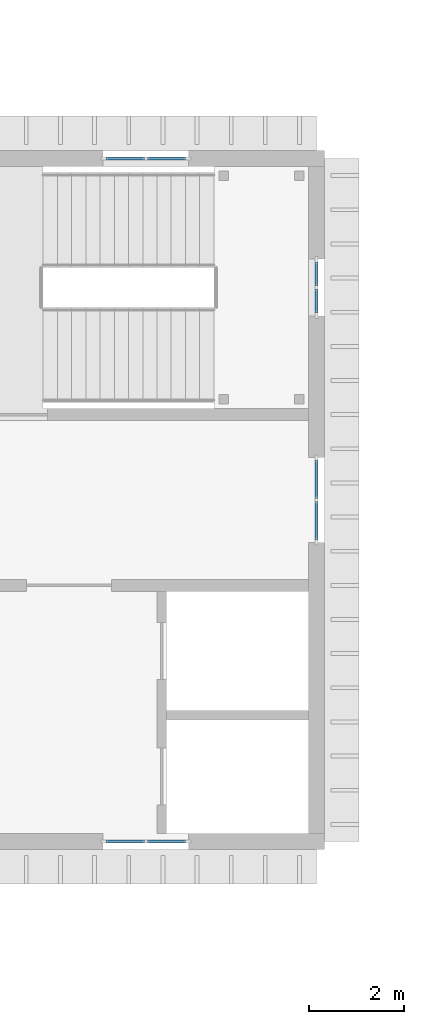
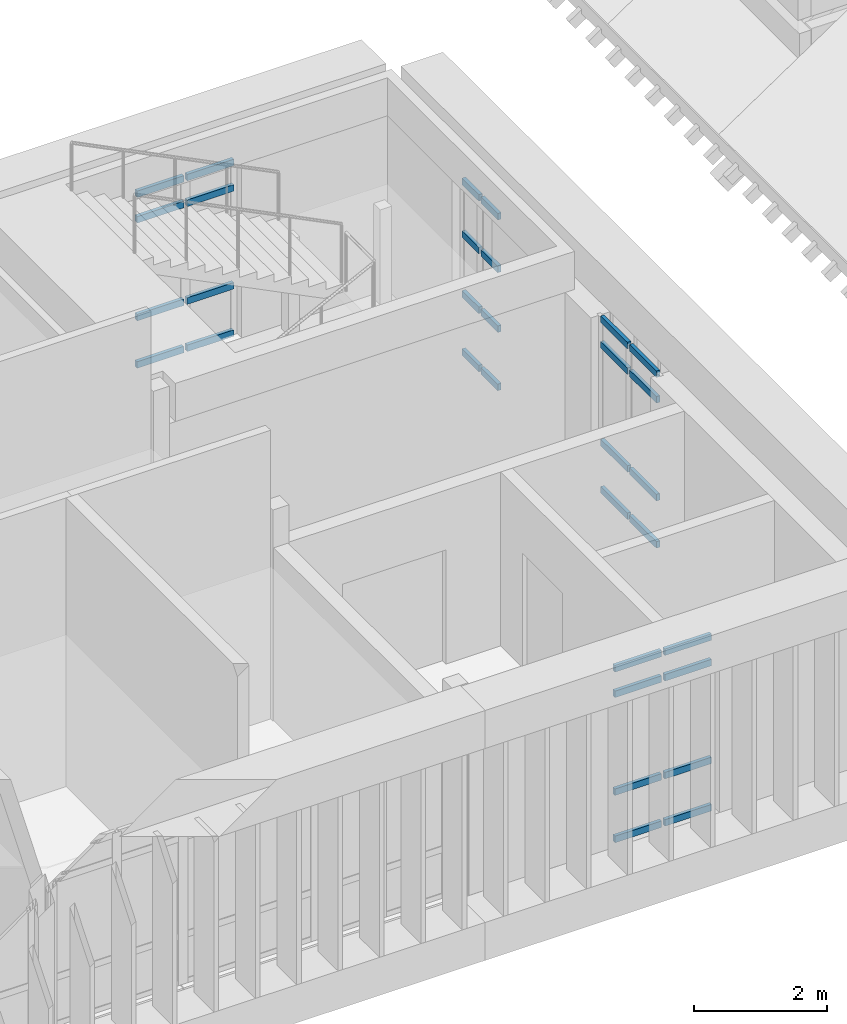
# One storey, part 19 of 51: 32 members, 4 elements without a shape of their own.
"""IFC4 building model written with IfcOpenShell, lengths in metres."""

from ifc_helpers import new_model, si_unit, direction, frame, origin, origin_2d, place, context, subcontext, project, spatial, rectangle, extrude, material, layer, layer_set, material_profile, profile_set, type_object, element, aggregate, save


model = new_model("IFC4")

# Units and contexts
model_context = context("Model", 3, precision=1e-05, world=origin(), true_north=direction((0.0, 1.0)))
body_context = subcontext(model_context, "Body", "Model", "MODEL_VIEW")
ifc_project = project(units=[si_unit("LENGTHUNIT", "METRE"), si_unit("AREAUNIT", "SQUARE_METRE"), si_unit("VOLUMEUNIT", "CUBIC_METRE"), si_unit("PLANEANGLEUNIT", "RADIAN"), si_unit("MASSUNIT", "GRAM", prefix="KILO")], contexts=[model_context])

# Site, building, storey
site_placement = place(None, origin())
site = spatial("IfcSite", under=ifc_project, at=site_placement, CompositionType="ELEMENT")
building_placement = place(site_placement, origin())
building = spatial("IfcBuilding", under=site, at=building_placement, Name="Mazhai Court Health Centre", CompositionType="ELEMENT")
storey_placement = place(building_placement, frame((0.0, 0.0, 14.10009765625)))
storey = spatial("IfcBuildingStorey", under=building, at=storey_placement, Name="L03", CompositionType="ELEMENT", Elevation=14.10009765625)

# Curtain wall, members
ifc_material_1 = material(Name="Teak timber frame, glazed", Category="wood")
ifc_layer_1 = layer(ifc_material_1, 0.10009765625)
ifc_layer_set_1 = layer_set([ifc_layer_1], Name="CURTAIN WALL TIMBER 900")
curtain_wall_type_1 = type_object("IfcCurtainWallType", Name="CURTAIN WALL TIMBER 900", PredefinedType="NOTDEFINED", material=ifc_layer_set_1)
curtain_wall_1_placement = place(storey_placement, origin())
curtain_wall_1 = element("IfcCurtainWall", 1, at=curtain_wall_1_placement, inside=storey, type_object=curtain_wall_type_1, Name="CW-V4-L03-A7", PredefinedType="NOTDEFINED")
ifc_material_2 = material(Name="Teak timber", Category="wood")
ifc_material_profile = material_profile(ifc_material_2, rectangle(XDim=0.06005859375, YDim=0.1201171875, at=origin_2d()), Name="CW TRANSOM 60x120")
ifc_profile_set = profile_set([ifc_material_profile], Name="Teak timber")
member_type = type_object("IfcMemberType", Name="CW TRANSOM 60x120", PredefinedType="USERDEFINED", material=ifc_profile_set)
member_1_placement = place(storey_placement, frame((125.840087890625, 13.39990234375, 0.02978515625), z_axis=(-1.0, 0.0, 0.0), x_axis=(0.0, -1.0, 0.0)))
member_1 = element("IfcMember", 2, at=member_1_placement, type_object=member_type, Name="CW transom 1.1", ObjectType="TRANSOM", PredefinedType="USERDEFINED", context=body_context, shape_type="SweptSolid", body=[
    extrude(rectangle(XDim=0.06005859375, YDim=0.1201171875, at=origin_2d()), origin(), (0.0, 0.0, 1.0), 0.81005859375),
])
member_2_placement = place(storey_placement, frame((125.840087890625, 13.39990234375, 0.89990234375), z_axis=(-1.0, 0.0, 0.0), x_axis=(0.0, -1.0, 0.0)))
member_2 = element("IfcMember", 3, at=member_2_placement, type_object=member_type, Name="CW transom 1.2", ObjectType="TRANSOM", PredefinedType="USERDEFINED", context=body_context, shape_type="SweptSolid", body=[
    extrude(rectangle(XDim=0.06005859375, YDim=0.1201171875, at=origin_2d()), origin(), (0.0, 0.0, 1.0), 0.81005859375),
])
member_3_placement = place(storey_placement, frame((125.840087890625, 13.39990234375, 2.699951171875), z_axis=(-1.0, 0.0, 0.0), x_axis=(0.0, -1.0, 0.0)))
member_3 = element("IfcMember", 4, at=member_3_placement, type_object=member_type, Name="CW transom 1.3", ObjectType="TRANSOM", PredefinedType="USERDEFINED", context=body_context, shape_type="SweptSolid", body=[
    extrude(rectangle(XDim=0.06005859375, YDim=0.1201171875, at=origin_2d()), origin(), (0.0, 0.0, 1.0), 0.81005859375),
])
member_4_placement = place(storey_placement, frame((125.840087890625, 13.39990234375, 3.169921875), z_axis=(-1.0, 0.0, 0.0), x_axis=(0.0, -1.0, 0.0)))
member_4 = element("IfcMember", 5, at=member_4_placement, type_object=member_type, Name="CW transom 1.4", ObjectType="TRANSOM", PredefinedType="USERDEFINED", context=body_context, shape_type="SweptSolid", body=[
    extrude(rectangle(XDim=0.06005859375, YDim=0.1201171875, at=origin_2d()), origin(), (0.0, 0.0, 1.0), 0.81005859375),
])
member_5_placement = place(storey_placement, frame((124.969970703125, 13.39990234375, 0.02978515625), z_axis=(-1.0, 0.0, 0.0), x_axis=(0.0, -1.0, 0.0)))
member_5 = element("IfcMember", 6, at=member_5_placement, type_object=member_type, Name="CW transom 2.1", ObjectType="TRANSOM", PredefinedType="USERDEFINED", context=body_context, shape_type="SweptSolid", body=[
    extrude(rectangle(XDim=0.06005859375, YDim=0.1201171875, at=origin_2d()), origin(), (0.0, 0.0, 1.0), 0.81005859375),
])
member_6_placement = place(storey_placement, frame((124.969970703125, 13.39990234375, 0.89990234375), z_axis=(-1.0, 0.0, 0.0), x_axis=(0.0, -1.0, 0.0)))
member_6 = element("IfcMember", 7, at=member_6_placement, type_object=member_type, Name="CW transom 2.2", ObjectType="TRANSOM", PredefinedType="USERDEFINED", context=body_context, shape_type="SweptSolid", body=[
    extrude(rectangle(XDim=0.06005859375, YDim=0.1201171875, at=origin_2d()), origin(), (0.0, 0.0, 1.0), 0.81005859375),
])
member_7_placement = place(storey_placement, frame((124.969970703125, 13.39990234375, 2.699951171875), z_axis=(-1.0, 0.0, 0.0), x_axis=(0.0, -1.0, 0.0)))
member_7 = element("IfcMember", 8, at=member_7_placement, type_object=member_type, Name="CW transom 2.3", ObjectType="TRANSOM", PredefinedType="USERDEFINED", context=body_context, shape_type="SweptSolid", body=[
    extrude(rectangle(XDim=0.06005859375, YDim=0.1201171875, at=origin_2d()), origin(), (0.0, 0.0, 1.0), 0.81005859375),
])
member_8_placement = place(storey_placement, frame((124.969970703125, 13.39990234375, 3.169921875), z_axis=(-1.0, 0.0, 0.0), x_axis=(0.0, -1.0, 0.0)))
member_8 = element("IfcMember", 9, at=member_8_placement, type_object=member_type, Name="CW transom 2.4", ObjectType="TRANSOM", PredefinedType="USERDEFINED", context=body_context, shape_type="SweptSolid", body=[
    extrude(rectangle(XDim=0.06005859375, YDim=0.1201171875, at=origin_2d()), origin(), (0.0, 0.0, 1.0), 0.81005859375),
])
aggregate(curtain_wall_1, [member_1, member_2, member_3, member_4, member_5, member_6, member_7, member_8])

curtain_wall_2_placement = place(storey_placement, origin())
curtain_wall_2 = element("IfcCurtainWall", 10, at=curtain_wall_2_placement, inside=storey, type_object=curtain_wall_type_1, Name="CW-V4-L03-B7", PredefinedType="NOTDEFINED")
member_9_placement = place(storey_placement, frame((124.159912109375, 27.800048828125, 0.02978515625), z_axis=(1.0, 0.0, 0.0), x_axis=(0.0, 1.0, 0.0)))
member_9 = element("IfcMember", 11, at=member_9_placement, type_object=member_type, Name="CW transom 1.1", ObjectType="TRANSOM", PredefinedType="USERDEFINED", context=body_context, shape_type="SweptSolid", body=[
    extrude(rectangle(XDim=0.06005859375, YDim=0.1201171875, at=origin_2d()), origin(), (0.0, 0.0, 1.0), 0.81005859375),
])
member_10_placement = place(storey_placement, frame((124.159912109375, 27.800048828125, 0.89990234375), z_axis=(1.0, 0.0, 0.0), x_axis=(0.0, 1.0, 0.0)))
member_10 = element("IfcMember", 12, at=member_10_placement, type_object=member_type, Name="CW transom 1.2", ObjectType="TRANSOM", PredefinedType="USERDEFINED", context=body_context, shape_type="SweptSolid", body=[
    extrude(rectangle(XDim=0.06005859375, YDim=0.1201171875, at=origin_2d()), origin(), (0.0, 0.0, 1.0), 0.81005859375),
])
member_11_placement = place(storey_placement, frame((124.159912109375, 27.800048828125, 2.699951171875), z_axis=(1.0, 0.0, 0.0), x_axis=(0.0, 1.0, 0.0)))
member_11 = element("IfcMember", 13, at=member_11_placement, type_object=member_type, Name="CW transom 1.3", ObjectType="TRANSOM", PredefinedType="USERDEFINED", context=body_context, shape_type="SweptSolid", body=[
    extrude(rectangle(XDim=0.06005859375, YDim=0.1201171875, at=origin_2d()), origin(), (0.0, 0.0, 1.0), 0.81005859375),
])
member_12_placement = place(storey_placement, frame((124.159912109375, 27.800048828125, 3.169921875), z_axis=(1.0, 0.0, 0.0), x_axis=(0.0, 1.0, 0.0)))
member_12 = element("IfcMember", 14, at=member_12_placement, type_object=member_type, Name="CW transom 1.4", ObjectType="TRANSOM", PredefinedType="USERDEFINED", context=body_context, shape_type="SweptSolid", body=[
    extrude(rectangle(XDim=0.06005859375, YDim=0.1201171875, at=origin_2d()), origin(), (0.0, 0.0, 1.0), 0.81005859375),
])
member_13_placement = place(storey_placement, frame((125.030029296875, 27.800048828125, 0.02978515625), z_axis=(1.0, 0.0, 0.0), x_axis=(0.0, 1.0, 0.0)))
member_13 = element("IfcMember", 15, at=member_13_placement, type_object=member_type, Name="CW transom 2.1", ObjectType="TRANSOM", PredefinedType="USERDEFINED", context=body_context, shape_type="SweptSolid", body=[
    extrude(rectangle(XDim=0.06005859375, YDim=0.1201171875, at=origin_2d()), origin(), (0.0, 0.0, 1.0), 0.81005859375),
])
member_14_placement = place(storey_placement, frame((125.030029296875, 27.800048828125, 0.89990234375), z_axis=(1.0, 0.0, 0.0), x_axis=(0.0, 1.0, 0.0)))
member_14 = element("IfcMember", 16, at=member_14_placement, type_object=member_type, Name="CW transom 2.2", ObjectType="TRANSOM", PredefinedType="USERDEFINED", context=body_context, shape_type="SweptSolid", body=[
    extrude(rectangle(XDim=0.06005859375, YDim=0.1201171875, at=origin_2d()), origin(), (0.0, 0.0, 1.0), 0.81005859375),
])
member_15_placement = place(storey_placement, frame((125.030029296875, 27.800048828125, 2.699951171875), z_axis=(1.0, 0.0, 0.0), x_axis=(0.0, 1.0, 0.0)))
member_15 = element("IfcMember", 17, at=member_15_placement, type_object=member_type, Name="CW transom 2.3", ObjectType="TRANSOM", PredefinedType="USERDEFINED", context=body_context, shape_type="SweptSolid", body=[
    extrude(rectangle(XDim=0.06005859375, YDim=0.1201171875, at=origin_2d()), origin(), (0.0, 0.0, 1.0), 0.81005859375),
])
member_16_placement = place(storey_placement, frame((125.030029296875, 27.800048828125, 3.169921875), z_axis=(1.0, 0.0, 0.0), x_axis=(0.0, 1.0, 0.0)))
member_16 = element("IfcMember", 18, at=member_16_placement, type_object=member_type, Name="CW transom 2.4", ObjectType="TRANSOM", PredefinedType="USERDEFINED", context=body_context, shape_type="SweptSolid", body=[
    extrude(rectangle(XDim=0.06005859375, YDim=0.1201171875, at=origin_2d()), origin(), (0.0, 0.0, 1.0), 0.81005859375),
])
aggregate(curtain_wall_2, [member_9, member_10, member_11, member_12, member_13, member_14, member_15, member_16])

curtain_wall_3_placement = place(storey_placement, origin())
curtain_wall_3 = element("IfcCurtainWall", 19, at=curtain_wall_3_placement, inside=storey, type_object=curtain_wall_type_1, Name="CW-V4-L03-ELIFT0", PredefinedType="NOTDEFINED")
member_17_placement = place(storey_placement, frame((128.60009765625, 21.43994140625, 0.02978515625), z_axis=(0.0, -1.0, 0.0), x_axis=(1.0, 0.0, 0.0)))
member_17 = element("IfcMember", 20, at=member_17_placement, type_object=member_type, Name="CW transom 1.1", ObjectType="TRANSOM", PredefinedType="USERDEFINED", context=body_context, shape_type="SweptSolid", body=[
    extrude(rectangle(XDim=0.06005859375, YDim=0.1201171875, at=origin_2d()), origin(), (0.0, 0.0, 1.0), 0.81005859375),
])
member_18_placement = place(storey_placement, frame((128.60009765625, 21.43994140625, 0.89990234375), z_axis=(0.0, -1.0, 0.0), x_axis=(1.0, 0.0, 0.0)))
member_18 = element("IfcMember", 21, at=member_18_placement, type_object=member_type, Name="CW transom 1.2", ObjectType="TRANSOM", PredefinedType="USERDEFINED", context=body_context, shape_type="SweptSolid", body=[
    extrude(rectangle(XDim=0.06005859375, YDim=0.1201171875, at=origin_2d()), origin(), (0.0, 0.0, 1.0), 0.81005859375),
])
member_19_placement = place(storey_placement, frame((128.60009765625, 21.43994140625, 2.699951171875), z_axis=(0.0, -1.0, 0.0), x_axis=(1.0, 0.0, 0.0)))
member_19 = element("IfcMember", 22, at=member_19_placement, type_object=member_type, Name="CW transom 1.3", ObjectType="TRANSOM", PredefinedType="USERDEFINED", context=body_context, shape_type="SweptSolid", body=[
    extrude(rectangle(XDim=0.06005859375, YDim=0.1201171875, at=origin_2d()), origin(), (0.0, 0.0, 1.0), 0.81005859375),
])
member_20_placement = place(storey_placement, frame((128.60009765625, 21.43994140625, 3.169921875), z_axis=(0.0, -1.0, 0.0), x_axis=(1.0, 0.0, 0.0)))
member_20 = element("IfcMember", 23, at=member_20_placement, type_object=member_type, Name="CW transom 1.4", ObjectType="TRANSOM", PredefinedType="USERDEFINED", context=body_context, shape_type="SweptSolid", body=[
    extrude(rectangle(XDim=0.06005859375, YDim=0.1201171875, at=origin_2d()), origin(), (0.0, 0.0, 1.0), 0.81005859375),
])
member_21_placement = place(storey_placement, frame((128.60009765625, 20.570068359375, 0.02978515625), z_axis=(0.0, -1.0, 0.0), x_axis=(1.0, 0.0, 0.0)))
member_21 = element("IfcMember", 24, at=member_21_placement, type_object=member_type, Name="CW transom 2.1", ObjectType="TRANSOM", PredefinedType="USERDEFINED", context=body_context, shape_type="SweptSolid", body=[
    extrude(rectangle(XDim=0.06005859375, YDim=0.1201171875, at=origin_2d()), origin(), (0.0, 0.0, 1.0), 0.81005859375),
])
member_22_placement = place(storey_placement, frame((128.60009765625, 20.570068359375, 0.89990234375), z_axis=(0.0, -1.0, 0.0), x_axis=(1.0, 0.0, 0.0)))
member_22 = element("IfcMember", 25, at=member_22_placement, type_object=member_type, Name="CW transom 2.2", ObjectType="TRANSOM", PredefinedType="USERDEFINED", context=body_context, shape_type="SweptSolid", body=[
    extrude(rectangle(XDim=0.06005859375, YDim=0.1201171875, at=origin_2d()), origin(), (0.0, 0.0, 1.0), 0.81005859375),
])
member_23_placement = place(storey_placement, frame((128.60009765625, 20.570068359375, 2.699951171875), z_axis=(0.0, -1.0, 0.0), x_axis=(1.0, 0.0, 0.0)))
member_23 = element("IfcMember", 26, at=member_23_placement, type_object=member_type, Name="CW transom 2.3", ObjectType="TRANSOM", PredefinedType="USERDEFINED", context=body_context, shape_type="SweptSolid", body=[
    extrude(rectangle(XDim=0.06005859375, YDim=0.1201171875, at=origin_2d()), origin(), (0.0, 0.0, 1.0), 0.81005859375),
])
member_24_placement = place(storey_placement, frame((128.60009765625, 20.570068359375, 3.169921875), z_axis=(0.0, -1.0, 0.0), x_axis=(1.0, 0.0, 0.0)))
member_24 = element("IfcMember", 27, at=member_24_placement, type_object=member_type, Name="CW transom 2.4", ObjectType="TRANSOM", PredefinedType="USERDEFINED", context=body_context, shape_type="SweptSolid", body=[
    extrude(rectangle(XDim=0.06005859375, YDim=0.1201171875, at=origin_2d()), origin(), (0.0, 0.0, 1.0), 0.81005859375),
])
aggregate(curtain_wall_3, [member_17, member_18, member_19, member_20, member_21, member_22, member_23, member_24])

ifc_material_3 = material(Name="Teak timber frame, glazed", Category="wood")
ifc_layer_2 = layer(ifc_material_3, 0.10009765625)
ifc_layer_set_2 = layer_set([ifc_layer_2], Name="CURTAIN WALL TIMBER 600")
curtain_wall_type_2 = type_object("IfcCurtainWallType", Name="CURTAIN WALL TIMBER 600", PredefinedType="NOTDEFINED", material=ifc_layer_set_2)
curtain_wall_4_placement = place(storey_placement, origin())
curtain_wall_4 = element("IfcCurtainWall", 28, at=curtain_wall_4_placement, inside=storey, type_object=curtain_wall_type_2, Name="CW-V4-L03-ESTAIR1", PredefinedType="NOTDEFINED")
member_25_placement = place(storey_placement, frame((128.60009765625, 25.6201171875, 0.02978515625), z_axis=(0.0, -1.0, 0.0), x_axis=(1.0, 0.0, 0.0)))
member_25 = element("IfcMember", 29, at=member_25_placement, type_object=member_type, Name="CW transom 1.1", ObjectType="TRANSOM", PredefinedType="USERDEFINED", context=body_context, shape_type="SweptSolid", body=[
    extrude(rectangle(XDim=0.06005859375, YDim=0.1201171875, at=origin_2d()), origin(), (0.0, 0.0, 1.0), 0.510009765625),
])
member_26_placement = place(storey_placement, frame((128.60009765625, 25.6201171875, 1.099853515625), z_axis=(0.0, -1.0, 0.0), x_axis=(1.0, 0.0, 0.0)))
member_26 = element("IfcMember", 30, at=member_26_placement, type_object=member_type, Name="CW transom 1.2", ObjectType="TRANSOM", PredefinedType="USERDEFINED", context=body_context, shape_type="SweptSolid", body=[
    extrude(rectangle(XDim=0.06005859375, YDim=0.1201171875, at=origin_2d()), origin(), (0.0, 0.0, 1.0), 0.510009765625),
])
member_27_placement = place(storey_placement, frame((128.60009765625, 25.6201171875, 2.199951171875), z_axis=(0.0, -1.0, 0.0), x_axis=(1.0, 0.0, 0.0)))
member_27 = element("IfcMember", 31, at=member_27_placement, type_object=member_type, Name="CW transom 1.3", ObjectType="TRANSOM", PredefinedType="USERDEFINED", context=body_context, shape_type="SweptSolid", body=[
    extrude(rectangle(XDim=0.06005859375, YDim=0.1201171875, at=origin_2d()), origin(), (0.0, 0.0, 1.0), 0.510009765625),
])
member_28_placement = place(storey_placement, frame((128.60009765625, 25.6201171875, 3.169921875), z_axis=(0.0, -1.0, 0.0), x_axis=(1.0, 0.0, 0.0)))
member_28 = element("IfcMember", 32, at=member_28_placement, type_object=member_type, Name="CW transom 1.4", ObjectType="TRANSOM", PredefinedType="USERDEFINED", context=body_context, shape_type="SweptSolid", body=[
    extrude(rectangle(XDim=0.06005859375, YDim=0.1201171875, at=origin_2d()), origin(), (0.0, 0.0, 1.0), 0.510009765625),
])
member_29_placement = place(storey_placement, frame((128.60009765625, 25.050048828125, 0.02978515625), z_axis=(0.0, -1.0, 0.0), x_axis=(1.0, 0.0, 0.0)))
member_29 = element("IfcMember", 33, at=member_29_placement, type_object=member_type, Name="CW transom 2.1", ObjectType="TRANSOM", PredefinedType="USERDEFINED", context=body_context, shape_type="SweptSolid", body=[
    extrude(rectangle(XDim=0.06005859375, YDim=0.1201171875, at=origin_2d()), origin(), (0.0, 0.0, 1.0), 0.510009765625),
])
member_30_placement = place(storey_placement, frame((128.60009765625, 25.050048828125, 1.099853515625), z_axis=(0.0, -1.0, 0.0), x_axis=(1.0, 0.0, 0.0)))
member_30 = element("IfcMember", 34, at=member_30_placement, type_object=member_type, Name="CW transom 2.2", ObjectType="TRANSOM", PredefinedType="USERDEFINED", context=body_context, shape_type="SweptSolid", body=[
    extrude(rectangle(XDim=0.06005859375, YDim=0.1201171875, at=origin_2d()), origin(), (0.0, 0.0, 1.0), 0.510009765625),
])
member_31_placement = place(storey_placement, frame((128.60009765625, 25.050048828125, 2.199951171875), z_axis=(0.0, -1.0, 0.0), x_axis=(1.0, 0.0, 0.0)))
member_31 = element("IfcMember", 35, at=member_31_placement, type_object=member_type, Name="CW transom 2.3", ObjectType="TRANSOM", PredefinedType="USERDEFINED", context=body_context, shape_type="SweptSolid", body=[
    extrude(rectangle(XDim=0.06005859375, YDim=0.1201171875, at=origin_2d()), origin(), (0.0, 0.0, 1.0), 0.510009765625),
])
member_32_placement = place(storey_placement, frame((128.60009765625, 25.050048828125, 3.169921875), z_axis=(0.0, -1.0, 0.0), x_axis=(1.0, 0.0, 0.0)))
member_32 = element("IfcMember", 36, at=member_32_placement, type_object=member_type, Name="CW transom 2.4", ObjectType="TRANSOM", PredefinedType="USERDEFINED", context=body_context, shape_type="SweptSolid", body=[
    extrude(rectangle(XDim=0.06005859375, YDim=0.1201171875, at=origin_2d()), origin(), (0.0, 0.0, 1.0), 0.510009765625),
])
aggregate(curtain_wall_4, [member_25, member_26, member_27, member_28, member_29, member_30, member_31, member_32])

save(model, "model.ifc")
